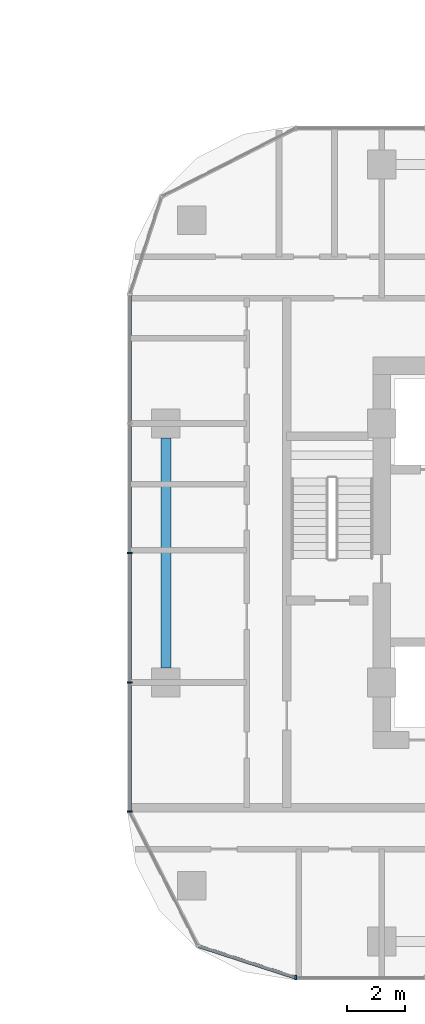
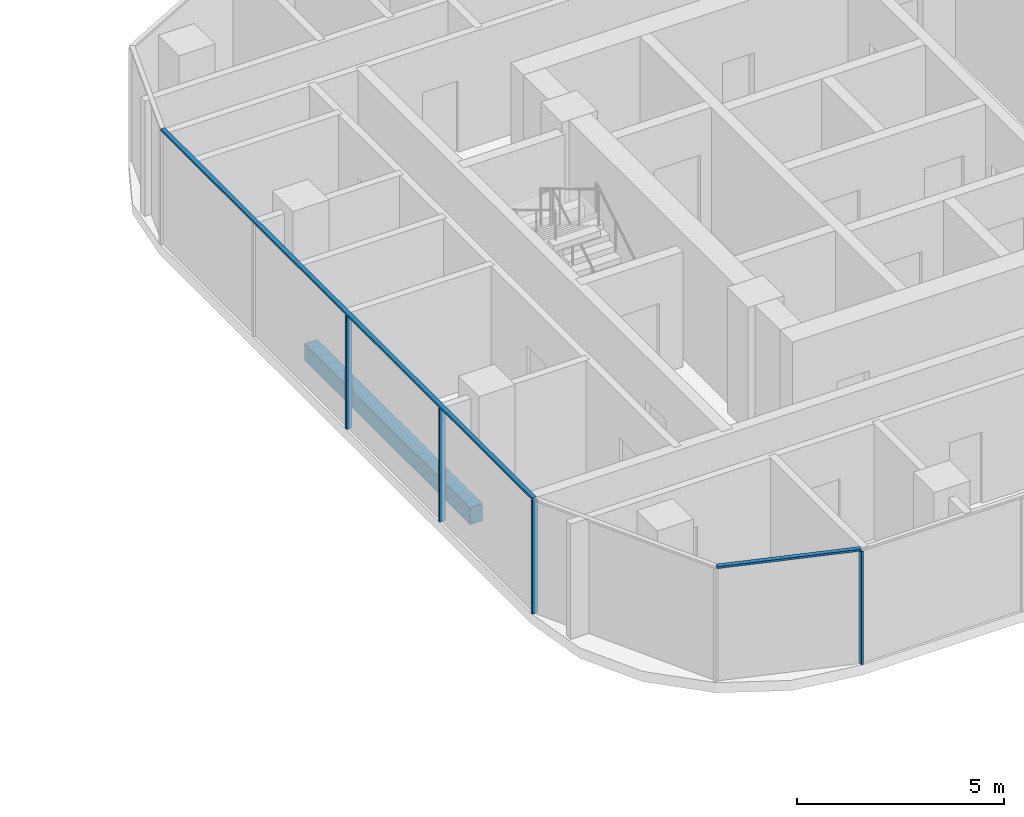
# One storey, part 8 of 36: 6 members, 1 beam, 3 elements without a shape of their own.
"""IFC4 building model written with IfcOpenShell, lengths in metres."""

from ifc_helpers import new_model, si_unit, direction, frame, origin, origin_2d, place, context, subcontext, project, spatial, rectangle, extrude, material, material_profile, profile_set, type_object, element, aggregate, save


model = new_model("IFC4")

# Units and contexts
model_context = context("Model", 3, precision=1e-05, world=origin(), true_north=direction((0.0, 1.0)))
body_context = subcontext(model_context, "Body", "Model", "MODEL_VIEW")
ifc_project = project(units=[si_unit("LENGTHUNIT", "METRE"), si_unit("AREAUNIT", "SQUARE_METRE"), si_unit("VOLUMEUNIT", "CUBIC_METRE"), si_unit("PLANEANGLEUNIT", "RADIAN"), si_unit("MASSUNIT", "GRAM", prefix="KILO")], contexts=[model_context])

# Site, building, storey
site_placement = place(None, origin())
site = spatial("IfcSite", under=ifc_project, at=site_placement, CompositionType="ELEMENT")
building_placement = place(site_placement, origin())
building = spatial("IfcBuilding", under=site, at=building_placement, Name="Ogive Portal Towers", CompositionType="ELEMENT")
storey_placement = place(building_placement, frame((0.0, 0.0, 48.300048828125)))
storey = spatial("IfcBuildingStorey", under=building, at=storey_placement, Name="L10", CompositionType="ELEMENT", Elevation=48.300048828125)

# Curtain wall, member
ifc_material_1 = material(Name="Glass, clear low-iron insulated glazing", Category="glass")
curtain_wall_type = type_object("IfcCurtainWallType", Name="CW RESIDENCES RIBBON", PredefinedType="NOTDEFINED", material=ifc_material_1)
curtain_wall_1_placement = place(storey_placement, origin())
curtain_wall_1 = element("IfcCurtainWall", 1, at=curtain_wall_1_placement, inside=storey, type_object=curtain_wall_type, Name="B:L10:f02:cw0", PredefinedType="NOTDEFINED")
ifc_material_2 = material(Name="Aluminium 6063 anodised", Category="aluminium")
ifc_material_profile_1 = material_profile(ifc_material_2, rectangle(XDim=0.159912109375, YDim=0.06005859375, at=origin_2d()), Name="AL 60x160")
ifc_profile_set_1 = profile_set([ifc_material_profile_1], Name="Aluminium 6063 anodised")
member_type_1 = type_object("IfcMemberType", Name="CW MULLION 60x160", PredefinedType="MULLION", material=ifc_profile_set_1)
member_1_placement = place(storey_placement, frame((126.0126953125, 16.2451171875, 0.0), z_axis=(0.0, 0.0, 1.0), x_axis=(0.0, 1.0, 0.0)))
member_1 = element("IfcMember", 2, at=member_1_placement, type_object=member_type_1, Name="mullion", PredefinedType="MULLION", context=body_context, shape_type="SweptSolid", body=[
    extrude(rectangle(XDim=0.159912109375, YDim=0.06005859375, at=origin_2d()), origin(), (0.0, 0.0, 1.0), 3.33984375),
])
aggregate(curtain_wall_1, [member_1])

# Curtain wall, members
curtain_wall_2_placement = place(storey_placement, origin())
curtain_wall_2 = element("IfcCurtainWall", 3, at=curtain_wall_2_placement, inside=storey, type_object=curtain_wall_type, Name="B:L10:f11:cw0", PredefinedType="NOTDEFINED")
member_2_placement = place(storey_placement, frame((120.2451171875, 31.0, 0.0), z_axis=(0.0, 0.0, 1.0), x_axis=(1.0, 0.0, 0.0)))
member_2 = element("IfcMember", 4, at=member_2_placement, type_object=member_type_1, Name="mullion", PredefinedType="MULLION", context=body_context, shape_type="SweptSolid", body=[
    extrude(rectangle(XDim=0.159912109375, YDim=0.06005859375, at=origin_2d()), origin(), (0.0, 0.0, 1.0), 3.33984375),
])
member_3_placement = place(storey_placement, frame((120.2451171875, 26.5, 0.0), z_axis=(0.0, 0.0, 1.0), x_axis=(1.0, 0.0, 0.0)))
member_3 = element("IfcMember", 5, at=member_3_placement, type_object=member_type_1, Name="mullion", PredefinedType="MULLION", context=body_context, shape_type="SweptSolid", body=[
    extrude(rectangle(XDim=0.159912109375, YDim=0.06005859375, at=origin_2d()), origin(), (0.0, 0.0, 1.0), 3.33984375),
])
member_4_placement = place(storey_placement, frame((120.2451171875, 22.019287109375, 0.0), z_axis=(0.0, 0.0, 1.0), x_axis=(1.0, 0.0, 0.0)))
member_4 = element("IfcMember", 6, at=member_4_placement, type_object=member_type_1, Name="mullion", PredefinedType="MULLION", context=body_context, shape_type="SweptSolid", body=[
    extrude(rectangle(XDim=0.159912109375, YDim=0.06005859375, at=origin_2d()), origin(), (0.0, 0.0, 1.0), 3.33984375),
])
ifc_material_profile_2 = material_profile(ifc_material_2, rectangle(XDim=0.1201171875, YDim=0.06005859375, at=origin_2d()), Name="AL 120x60")
ifc_profile_set_2 = profile_set([ifc_material_profile_2], Name="Aluminium 6063 anodised")
member_type_2 = type_object("IfcMemberType", Name="CW TRANSOM 60x120", PredefinedType="USERDEFINED", material=ifc_profile_set_2)
member_5_placement = place(storey_placement, frame((120.2451171875, 39.9873046875, 3.369873046875), z_axis=(0.0, -1.0, 0.0), x_axis=(1.0, 0.0, 0.0)))
member_5 = element("IfcMember", 7, at=member_5_placement, type_object=member_type_2, Name="transom", ObjectType="TRANSOM", PredefinedType="USERDEFINED", context=body_context, shape_type="SweptSolid", body=[
    extrude(rectangle(XDim=0.1201171875, YDim=0.06005859375, at=origin_2d()), origin(), (0.0, 0.0, 1.0), 17.968017578125),
])
aggregate(curtain_wall_2, [member_5, member_2, member_3, member_4])

# Curtain wall, member
curtain_wall_3_placement = place(storey_placement, origin())
curtain_wall_3 = element("IfcCurtainWall", 8, at=curtain_wall_3_placement, inside=storey, type_object=curtain_wall_type, Name="B:L10:f00:cwa", PredefinedType="NOTDEFINED")
member_6_placement = place(storey_placement, frame((122.62646484375, 17.34521484375, 3.369873046875), z_axis=(0.951069336097, -0.308977536298, 0.0), x_axis=(0.308977536298, 0.951069336097, 0.0)))
member_6 = element("IfcMember", 9, at=member_6_placement, type_object=member_type_2, Name="transom", ObjectType="TRANSOM", PredefinedType="USERDEFINED", context=body_context, shape_type="SweptSolid", body=[
    extrude(rectangle(XDim=0.1201171875, YDim=0.06005859375, at=origin_2d()), origin(), (0.0, 0.0, 1.0), 3.560546875),
])
aggregate(curtain_wall_3, [member_6])

# Beam
ifc_material_3 = material(Name="Concrete C50/60", Category="concrete")
ifc_material_profile_3 = material_profile(ifc_material_3, rectangle(XDim=0.35009765625, YDim=0.5, at=origin_2d()), Name="RC 350x500")
ifc_profile_set_3 = profile_set([ifc_material_profile_3], Name="Concrete C50/60")
beam_type = type_object("IfcBeamType", Name="SPANDREL BEAM RC 350x500", PredefinedType="BEAM", material=ifc_profile_set_3)
beam_placement = place(storey_placement, frame((121.5, 35.0, -0.550048828125), z_axis=(0.0, -1.0, 0.0), x_axis=(1.0, 0.0, 0.0)))
element("IfcBeam", 10, at=beam_placement, inside=storey, type_object=beam_type, Name="Spandrel beam L10", PredefinedType="BEAM", context=body_context, shape_type="SweptSolid", body=[
    extrude(rectangle(XDim=0.35009765625, YDim=0.5, at=origin_2d()), origin(), (0.0, 0.0, 1.0), 8.0),
])

save(model, "model.ifc")
